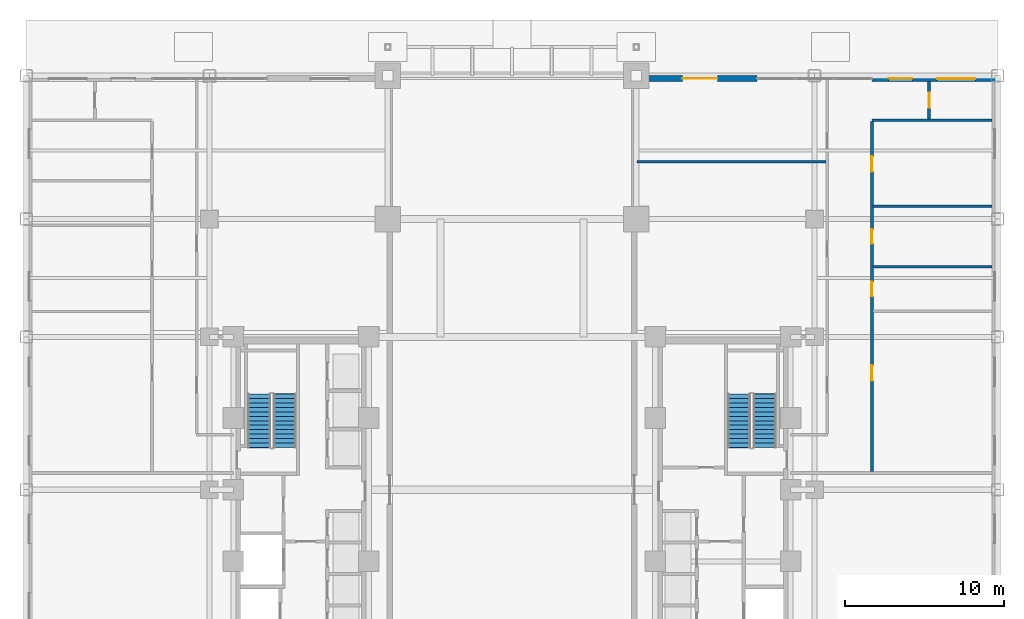
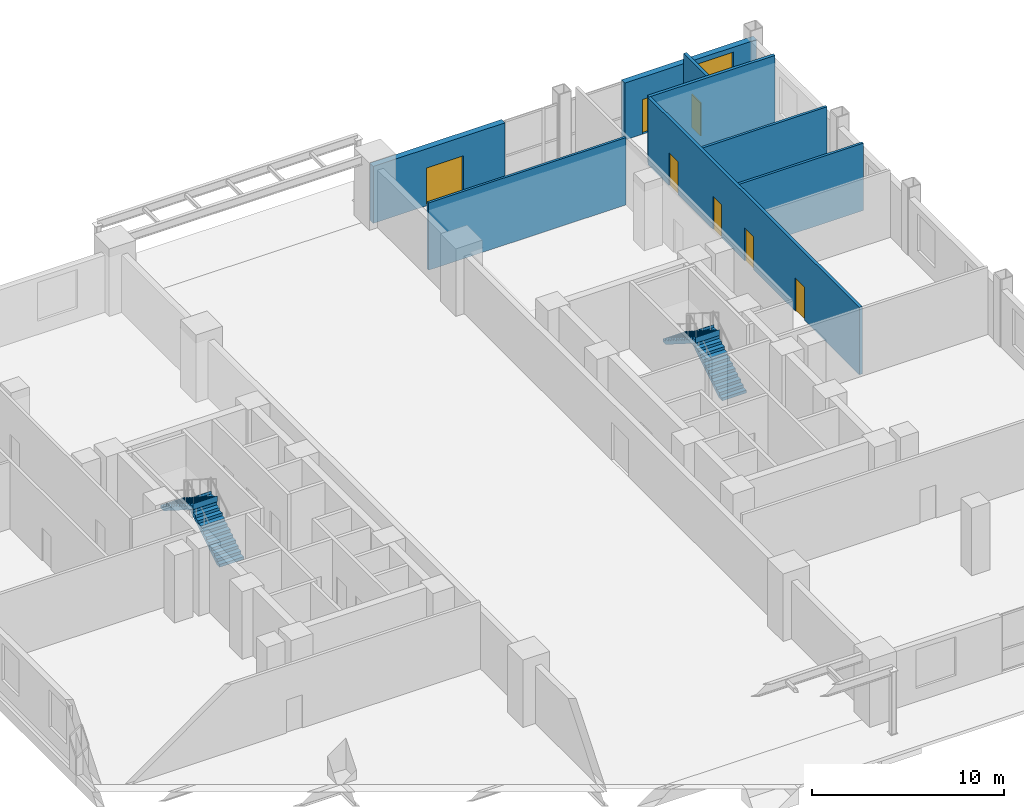
# One storey, part 12 of 20: 8 walls, 7 doors, 4 stair flights, 1 window, 8 openings, 2 elements without a shape of their own.
"""IFC4 building model written with IfcOpenShell, lengths in metres."""

from ifc_helpers import new_model, si_unit, direction, frame, frame_2d, origin, place, context, subcontext, project, spatial, polyline, rectangle, outline, extrude, source, transform, mapped, material, layer, layer_set, type_object, type_shapes, element, fill, aggregate, save


model = new_model("IFC4")

# Units and contexts
model_context = context("Model", 3, precision=1e-05, world=origin(), true_north=direction((0.0, 1.0)))
body_context = subcontext(model_context, "Body", "Model", "MODEL_VIEW")
ifc_project = project(units=[si_unit("LENGTHUNIT", "METRE"), si_unit("AREAUNIT", "SQUARE_METRE"), si_unit("VOLUMEUNIT", "CUBIC_METRE"), si_unit("PLANEANGLEUNIT", "RADIAN"), si_unit("MASSUNIT", "GRAM", prefix="KILO")], contexts=[model_context])

# Site, building, storey
site_placement = place(None, origin())
site = spatial("IfcSite", under=ifc_project, at=site_placement, CompositionType="ELEMENT")
building_placement = place(site_placement, origin())
building = spatial("IfcBuilding", under=site, at=building_placement, Name="Nuvemarco Arch Tower", CompositionType="ELEMENT")
storey_placement = place(building_placement, origin())
storey = spatial("IfcBuildingStorey", under=building, at=storey_placement, Name="L00", CompositionType="ELEMENT", Elevation=0.0)

# Wall, opening, door
ifc_material_1 = material(Name="Precast concrete C45/55", Category="concrete")
ifc_layer_1 = layer(ifc_material_1, 0.360107421875, Name="EW-POD-360")
ifc_layer_set_1 = layer_set([ifc_layer_1], Name="Precast concrete C45/55")
wall_type_1 = type_object("IfcWallType", Name="EW-POD-360", PredefinedType="STANDARD", material=ifc_layer_set_1)
wall_1_placement = place(storey_placement, frame((7.5, 25.820068359375, 0.0), z_axis=(0.0, 0.0, 1.0), x_axis=(1.0, 0.0, 0.0)))
wall_1 = element("IfcWall", 1, at=wall_1_placement, inside=storey, type_object=wall_type_1, Name="L00 exterior precast pier wall north left", PredefinedType="STANDARD", context=body_context, shape_type="SweptSolid", body=[
    extrude(rectangle(XDim=7.89990234375, YDim=0.360107421875, at=frame_2d((3.949951171875, 0.0))), origin(), (0.0, 0.0, 1.0), 3.614990234375),
])
opening_1_placement = place(wall_1_placement, frame((3.199951171875, 0.0, 0.0)))
opening_1 = element("IfcOpeningElement", 2, at=opening_1_placement, cuts=wall_1, Name="Opening ED-4", PredefinedType="OPENING", context=body_context, shape_type="SweptSolid", body=[
    extrude(rectangle(XDim=2.199951171875, YDim=2.39990234375, at=frame_2d((1.10009765625, 1.199951171875))), frame((0.0, 0.18994140625, 0.0), z_axis=(0.0, -1.0, 0.0), x_axis=(1.0, 0.0, 0.0)), (0.0, 0.0, 1.0), 0.380126953125),
])
ifc_material_2 = material(Name="Anodised bronze and laminated glass", Category="glass")
door_type_1 = type_object("IfcDoorType", Name="DR-EXT-GATE", OperationType="DOUBLE_DOOR_SINGLE_SWING", PredefinedType="GATE", material=ifc_material_2)
shared_shape_1 = source(origin(), body_context, "Body", "SweptSolid", [
    extrude(rectangle(XDim=2.199951171875, YDim=2.39990234375, at=frame_2d((1.10009765625, 1.199951171875))), frame((0.0, 0.02490234375, 0.0), z_axis=(0.0, -1.0, 0.0), x_axis=(1.0, 0.0, 0.0)), (0.0, 0.0, 1.0), 0.050048828125),
])
type_shapes(door_type_1, [shared_shape_1])
door_1_placement = place(opening_1_placement, origin())
door_1 = element("IfcDoor", 3, at=door_1_placement, inside=storey, type_object=door_type_1, Name="Goods receiving external double gate", OperationType="DOUBLE_DOOR_SINGLE_SWING", OverallHeight=2.39990234375, OverallWidth=2.199951171875, PredefinedType="GATE", context=body_context, shape_type="MappedRepresentation", body=[
    mapped(shared_shape_1, transform((0.0, 0.0, 0.0), scale=1.0)),
])
fill(opening_1, door_1)

# Wall, openings, window, door
wall_2_placement = place(storey_placement, frame((22.60009765625, 25.820068359375, 0.0), z_axis=(0.0, 0.0, 1.0), x_axis=(1.0, 0.0, 0.0)))
wall_2 = element("IfcWall", 4, at=wall_2_placement, inside=storey, type_object=wall_type_1, Name="L00 exterior precast pier wall north right", PredefinedType="STANDARD", context=body_context, shape_type="SweptSolid", body=[
    extrude(rectangle(XDim=7.89990234375, YDim=0.360107421875, at=frame_2d((3.949951171875, 0.0))), origin(), (0.0, 0.0, 1.0), 3.614990234375),
])
opening_2_placement = place(wall_2_placement, frame((1.050048828125, 0.0, 0.0)))
opening_2 = element("IfcOpeningElement", 5, at=opening_2_placement, cuts=wall_2, Name="Opening ED-2", PredefinedType="OPENING", context=body_context, shape_type="SweptSolid", body=[
    extrude(rectangle(XDim=1.5, YDim=2.199951171875, at=frame_2d((0.75, 1.10009765625))), frame((0.0, 0.18994140625, 0.0), z_axis=(0.0, -1.0, 0.0), x_axis=(1.0, 0.0, 0.0)), (0.0, 0.0, 1.0), 0.380126953125),
])
opening_3_placement = place(wall_2_placement, frame((4.10009765625, 0.0, 0.85009765625)))
opening_3 = element("IfcOpeningElement", 6, at=opening_3_placement, cuts=wall_2, Name="Opening WN-1", PredefinedType="OPENING", context=body_context, shape_type="SweptSolid", body=[
    extrude(rectangle(XDim=2.39990234375, YDim=2.449951171875, at=frame_2d((1.199951171875, 1.22509765625))), frame((0.0, 0.18994140625, 0.0), z_axis=(0.0, -1.0, 0.0), x_axis=(1.0, 0.0, 0.0)), (0.0, 0.0, 1.0), 0.380126953125),
])
ifc_material_3 = material(Name="Insulated solar-control glass", Category="glass")
window_type = type_object("IfcWindowType", Name="WN-POD-2400x2450", PartitioningType="DOUBLE_PANEL_VERTICAL", PredefinedType="WINDOW", material=ifc_material_3)
shared_shape_2 = source(origin(), body_context, "Body", "SweptSolid", [
    extrude(rectangle(XDim=2.39990234375, YDim=2.449951171875, at=frame_2d((1.199951171875, 1.22509765625))), frame((0.0, 0.030029296875, 0.0), z_axis=(0.0, -1.0, 0.0), x_axis=(1.0, 0.0, 0.0)), (0.0, 0.0, 1.0), 0.06005859375),
])
type_shapes(window_type, [shared_shape_2])
window_placement = place(opening_3_placement, origin())
window = element("IfcWindow", 7, at=window_placement, inside=storey, type_object=window_type, Name="L00 punched facade window 1", OverallHeight=2.449951171875, OverallWidth=2.39990234375, PartitioningType="SINGLE_PANEL", PredefinedType="WINDOW", context=body_context, shape_type="MappedRepresentation", body=[
    mapped(shared_shape_2, transform((0.0, 0.0, 0.0), scale=1.0)),
])
fill(opening_3, window)
door_type_2 = type_object("IfcDoorType", Name="DR-EXT-EXIT", OperationType="NOTDEFINED", PredefinedType="DOOR", material=ifc_material_2)
shared_shape_3 = source(origin(), body_context, "Body", "SweptSolid", [
    extrude(rectangle(XDim=1.5, YDim=2.199951171875, at=frame_2d((0.75, 1.10009765625))), frame((0.0, 0.02490234375, 0.0), z_axis=(0.0, -1.0, 0.0), x_axis=(1.0, 0.0, 0.0)), (0.0, 0.0, 1.0), 0.050048828125),
])
type_shapes(door_type_2, [shared_shape_3])
door_2_placement = place(opening_2_placement, origin())
door_2 = element("IfcDoor", 8, at=door_2_placement, inside=storey, type_object=door_type_2, Name="Final exit discharge door ED-E1 to north plaza", OperationType="SINGLE_SWING_RIGHT", OverallHeight=2.199951171875, OverallWidth=1.5, PredefinedType="DOOR", context=body_context, shape_type="MappedRepresentation", body=[
    mapped(shared_shape_3, transform((0.0, 0.0, 0.0), scale=1.0)),
])
fill(opening_2, door_2)

# Wall
ifc_material_4 = material(Name="Fire-rated gypsum drywall partition")
ifc_layer_2 = layer(ifc_material_4, 0.179931640625, Name="WL-CORR-180")
ifc_layer_set_2 = layer_set([ifc_layer_2], Name="Fire-rated gypsum drywall partition")
wall_type_2 = type_object("IfcWallType", Name="WL-CORR-180", PredefinedType="PARTITIONING", material=ifc_layer_set_2)
wall_3_placement = place(storey_placement, frame((22.60009765625, 23.199951171875, 0.0), z_axis=(0.0, 0.0, 1.0), x_axis=(1.0, 0.0, 0.0)))
element("IfcWall", 9, at=wall_3_placement, inside=storey, type_object=wall_type_2, Name="L00 interior wall IW-L00-017", PredefinedType="PARTITIONING", context=body_context, shape_type="SweptSolid", body=[
    extrude(rectangle(XDim=7.539794921875, YDim=0.179931640625, at=frame_2d((3.77001953125, 0.0))), origin(), (0.0, 0.0, 1.0), 4.27001953125),
])

# Wall, openings, doors
wall_4_placement = place(storey_placement, frame((22.60009765625, 1.135986328125, 0.0), z_axis=(0.0, 0.0, 1.0), x_axis=(0.0, 1.0, 0.0)))
wall_4 = element("IfcWall", 10, at=wall_4_placement, inside=storey, type_object=wall_type_2, Name="L00 interior wall IW-L00-022", PredefinedType="PARTITIONING", context=body_context, shape_type="SweptSolid", body=[
    extrude(rectangle(XDim=21.97802734375, YDim=0.179931640625, at=frame_2d((10.989013671875, 0.0))), origin(), (0.0, 0.0, 1.0), 4.27001953125),
])
opening_4_placement = place(wall_4_placement, frame((5.708984375, 0.0, 0.0)))
opening_4 = element("IfcOpeningElement", 11, at=opening_4_placement, cuts=wall_4, Name="Opening FD-5", PredefinedType="OPENING", context=body_context, shape_type="SweptSolid", body=[
    extrude(rectangle(XDim=0.9599609375, YDim=2.10009765625, at=frame_2d((0.47998046875, 1.050048828125))), frame((0.0, 0.099853515625, 0.0), z_axis=(0.0, -1.0, 0.0), x_axis=(1.0, 0.0, 0.0)), (0.0, 0.0, 1.0), 0.199951171875),
])
opening_5_placement = place(wall_4_placement, frame((18.841064453125, 0.0, 0.0)))
opening_5 = element("IfcOpeningElement", 12, at=opening_5_placement, cuts=wall_4, Name="Opening FD-5", PredefinedType="OPENING", context=body_context, shape_type="SweptSolid", body=[
    extrude(rectangle(XDim=0.9599609375, YDim=2.10009765625, at=frame_2d((0.47998046875, 1.050048828125))), frame((0.0, 0.099853515625, 0.0), z_axis=(0.0, -1.0, 0.0), x_axis=(1.0, 0.0, 0.0)), (0.0, 0.0, 1.0), 0.199951171875),
])
opening_6_placement = place(wall_4_placement, frame((14.31396484375, 0.0, 0.0)))
opening_6 = element("IfcOpeningElement", 13, at=opening_6_placement, cuts=wall_4, Name="Opening ID-3", PredefinedType="OPENING", context=body_context, shape_type="SweptSolid", body=[
    extrude(rectangle(XDim=0.89990234375, YDim=2.10009765625, at=frame_2d((0.449951171875, 1.050048828125))), frame((0.0, 0.099853515625, 0.0), z_axis=(0.0, -1.0, 0.0), x_axis=(1.0, 0.0, 0.0)), (0.0, 0.0, 1.0), 0.199951171875),
])
opening_7_placement = place(wall_4_placement, frame((11.013916015625, 0.0, 0.0)))
opening_7 = element("IfcOpeningElement", 14, at=opening_7_placement, cuts=wall_4, Name="Opening ID-3", PredefinedType="OPENING", context=body_context, shape_type="SweptSolid", body=[
    extrude(rectangle(XDim=0.89990234375, YDim=2.10009765625, at=frame_2d((0.449951171875, 1.050048828125))), frame((0.0, 0.099853515625, 0.0), z_axis=(0.0, -1.0, 0.0), x_axis=(1.0, 0.0, 0.0)), (0.0, 0.0, 1.0), 0.199951171875),
])
ifc_material_5 = material(Name="Timber fire door", Category="wood")
door_type_3 = type_object("IfcDoorType", Name="DR-CORR-FD", OperationType="NOTDEFINED", PredefinedType="DOOR", material=ifc_material_5)
shared_shape_4 = source(origin(), body_context, "Body", "SweptSolid", [
    extrude(rectangle(XDim=0.9599609375, YDim=2.10009765625, at=frame_2d((0.47998046875, 1.050048828125))), frame((0.0, 0.02490234375, 0.0), z_axis=(0.0, -1.0, 0.0), x_axis=(1.0, 0.0, 0.0)), (0.0, 0.0, 1.0), 0.050048828125),
])
type_shapes(door_type_3, [shared_shape_4])
door_3_placement = place(opening_4_placement, origin())
door_3 = element("IfcDoor", 15, at=door_3_placement, inside=storey, type_object=door_type_3, Name="L00 door DR-L00-L00_ECONC", OperationType="SINGLE_SWING_RIGHT", OverallHeight=2.10009765625, OverallWidth=0.9599609375, PredefinedType="DOOR", context=body_context, shape_type="MappedRepresentation", body=[
    mapped(shared_shape_4, transform((0.0, 0.0, 0.0), scale=1.0)),
])
fill(opening_4, door_3)
door_4_placement = place(opening_5_placement, origin())
door_4 = element("IfcDoor", 16, at=door_4_placement, inside=storey, type_object=door_type_3, Name="L00 door DR-L00-L00_ESEC", OperationType="SINGLE_SWING_RIGHT", OverallHeight=2.10009765625, OverallWidth=0.9599609375, PredefinedType="DOOR", context=body_context, shape_type="MappedRepresentation", body=[
    mapped(shared_shape_4, transform((0.0, 0.0, 0.0), scale=1.0)),
])
fill(opening_5, door_4)
ifc_material_6 = material(Name="Veneered oak timber fire door", Category="wood")
door_type_4 = type_object("IfcDoorType", Name="DR-WC-ACC", OperationType="NOTDEFINED", PredefinedType="DOOR", material=ifc_material_6)
shared_shape_5 = source(origin(), body_context, "Body", "SweptSolid", [
    extrude(rectangle(XDim=0.89990234375, YDim=2.10009765625, at=frame_2d((0.449951171875, 1.050048828125))), frame((0.0, 0.02490234375, 0.0), z_axis=(0.0, -1.0, 0.0), x_axis=(1.0, 0.0, 0.0)), (0.0, 0.0, 1.0), 0.050048828125),
])
type_shapes(door_type_4, [shared_shape_5])
door_5_placement = place(opening_6_placement, origin())
door_5 = element("IfcDoor", 17, at=door_5_placement, inside=storey, type_object=door_type_4, Name="L00 door DR-L00-L00_EWC_PUB", OperationType="SINGLE_SWING_LEFT", OverallHeight=2.10009765625, OverallWidth=0.89990234375, PredefinedType="DOOR", context=body_context, shape_type="MappedRepresentation", body=[
    mapped(shared_shape_5, transform((0.0, 0.0, 0.0), scale=1.0)),
])
fill(opening_6, door_5)
door_6_placement = place(opening_7_placement, origin())
door_6 = element("IfcDoor", 18, at=door_6_placement, inside=storey, type_object=door_type_4, Name="L00 door DR-L00-L00_EWC_ACC", OperationType="SINGLE_SWING_RIGHT", OverallHeight=2.10009765625, OverallWidth=0.89990234375, PredefinedType="DOOR", context=body_context, shape_type="MappedRepresentation", body=[
    mapped(shared_shape_5, transform((0.0, 0.0, 0.0), scale=1.0)),
])
fill(opening_7, door_6)

# Wall, opening, door
wall_5_placement = place(storey_placement, frame((26.199951171875, 23.285888671875, 0.0), z_axis=(0.0, 0.0, 1.0), x_axis=(0.0, 1.0, 0.0)))
wall_5 = element("IfcWall", 19, at=wall_5_placement, inside=storey, type_object=wall_type_2, Name="L00 interior wall IW-L00-023", PredefinedType="PARTITIONING", context=body_context, shape_type="SweptSolid", body=[
    extrude(rectangle(XDim=2.35400390625, YDim=0.179931640625, at=frame_2d((1.177001953125, 0.0))), origin(), (0.0, 0.0, 1.0), 4.27001953125),
])
opening_8_placement = place(wall_5_placement, frame((0.697021484375, 0.0, 0.0)))
opening_8 = element("IfcOpeningElement", 20, at=opening_8_placement, cuts=wall_5, Name="Opening FD-5", PredefinedType="OPENING", context=body_context, shape_type="SweptSolid", body=[
    extrude(rectangle(XDim=0.9599609375, YDim=2.10009765625, at=frame_2d((0.47998046875, 1.050048828125))), frame((0.0, 0.099853515625, 0.0), z_axis=(0.0, -1.0, 0.0), x_axis=(1.0, 0.0, 0.0)), (0.0, 0.0, 1.0), 0.199951171875),
])
door_7_placement = place(opening_8_placement, origin())
door_7 = element("IfcDoor", 21, at=door_7_placement, inside=storey, type_object=door_type_3, Name="L00 door DR-L00-L00_EREC", OperationType="SINGLE_SWING_RIGHT", OverallHeight=2.10009765625, OverallWidth=0.9599609375, PredefinedType="DOOR", context=body_context, shape_type="MappedRepresentation", body=[
    mapped(shared_shape_4, transform((0.0, 0.0, 0.0), scale=1.0)),
])
fill(opening_8, door_7)

# Walls
ifc_material_7 = material(Name="Gypsum plasterboard partition")
ifc_layer_3 = layer(ifc_material_7, 0.139892578125, Name="WL-ROOM-140")
ifc_layer_set_3 = layer_set([ifc_layer_3], Name="Gypsum plasterboard partition")
wall_type_3 = type_object("IfcWallType", Name="WL-ROOM-140", PredefinedType="PARTITIONING", material=ifc_layer_set_3)
wall_6_placement = place(storey_placement, frame((7.860107421875, 20.60009765625, 0.0), z_axis=(0.0, 0.0, 1.0), x_axis=(1.0, 0.0, 0.0)))
element("IfcWall", 22, at=wall_6_placement, inside=storey, type_object=wall_type_3, Name="L00 interior wall IW-L00-015", PredefinedType="PARTITIONING", context=body_context, shape_type="SweptSolid", body=[
    extrude(rectangle(XDim=11.85400390625, YDim=0.139892578125, at=frame_2d((5.927001953125, 0.0))), origin(), (0.0, 0.0, 1.0), 4.27001953125),
])
ifc_material_8 = material(Name="Moisture-resistant gypsum partition")
ifc_layer_4 = layer(ifc_material_8, 0.14990234375, Name="WL-WET-150")
ifc_layer_set_4 = layer_set([ifc_layer_4], Name="Moisture-resistant gypsum partition")
wall_type_4 = type_object("IfcWallType", Name="WL-WET-150", PredefinedType="PARTITIONING", material=ifc_layer_set_4)
for number, where, z_axis, x_axis, name in (
    (23, (22.68603515625, 14.0, 0.0), (0.0, 0.0, 1.0), (1.0, 0.0, 0.0), "L00 interior wall IW-L00-011"),
    (24, (22.68603515625, 17.800048828125, 0.0), (0.0, 0.0, 1.0), (1.0, 0.0, 0.0), "L00 interior wall IW-L00-013"),
):
    element("IfcWall", number, at=place(storey_placement, frame(where, z_axis=z_axis, x_axis=x_axis)), inside=storey, type_object=wall_type_4, Name=name, PredefinedType="PARTITIONING", context=body_context, shape_type="SweptSolid", body=[
        extrude(rectangle(XDim=7.453857421875, YDim=0.14990234375, at=frame_2d((3.72705078125, 0.0))), origin(), (0.0, 0.0, 1.0), 4.27001953125),
    ])

# Stair, stair flights
stair_type = type_object("IfcStairType", Name="ST-CORE-26R", PredefinedType="HALF_TURN_STAIR", material=ifc_material_1)
stair_1_placement = place(storey_placement, origin())
stair_1 = element("IfcStair", 25, at=stair_1_placement, inside=storey, type_object=stair_type, Name="L00 Protected Exit Stair ST-1", PredefinedType="HALF_TURN_STAIR")
stair_flight_type = type_object("IfcStairFlightType", Name="SF-CORE-26R", PredefinedType="STRAIGHT", material=ifc_material_1)
stair_flight_1_placement = place(storey_placement, frame((-14.264892578125, 2.64990234375, 0.0), z_axis=(0.0, 0.0, 1.0), x_axis=(0.0, 1.0, 0.0)))
stair_flight_1 = element("IfcStairFlight", 26, at=stair_flight_1_placement, type_object=stair_flight_type, Name="ST-26R flight 1", NumberOfRisers=13, NumberOfTreads=12, PredefinedType="STRAIGHT", RiserHeight=0.176923077, TreadLength=0.28, context=body_context, shape_type="SweptSolid", body=[
    extrude(outline(polyline([(0.0, 0.0), (0.0, 0.177001953125), (0.280029296875, 0.177001953125), (0.280029296875, 0.353759765625), (0.56005859375, 0.353759765625), (0.56005859375, 0.53076171875), (0.840087890625, 0.53076171875), (0.840087890625, 0.707763671875), (1.1201171875, 0.707763671875), (1.1201171875, 0.884521484375), (1.39990234375, 0.884521484375), (1.39990234375, 1.0615234375), (1.679931640625, 1.0615234375), (1.679931640625, 1.238525390625), (1.9599609375, 1.238525390625), (1.9599609375, 1.415283203125), (2.239990234375, 1.415283203125), (2.239990234375, 1.59228515625), (2.52001953125, 1.59228515625), (2.52001953125, 1.769287109375), (2.800048828125, 1.769287109375), (2.800048828125, 1.946044921875), (3.080078125, 1.946044921875), (3.080078125, 2.123046875), (3.360107421875, 2.123046875), (3.360107421875, 2.300048828125), (3.3798828125, 2.300048828125), (3.3798828125, 1.933837890625), (0.3193359375, 0.0), (0.0, 0.0)])), frame((0.0, 0.72509765625, 0.0), z_axis=(0.0, -1.0, 0.0), x_axis=(1.0, 0.0, 0.0)), (0.0, 0.0, 1.0), 1.449951171875),
])
stair_flight_2_placement = place(storey_placement, frame((-15.875, 6.010009765625, 2.300048828125), z_axis=(0.0, 0.0, 1.0), x_axis=(0.0, -1.0, 0.0)))
stair_flight_2 = element("IfcStairFlight", 27, at=stair_flight_2_placement, type_object=stair_flight_type, Name="ST-26R flight 2", NumberOfRisers=13, NumberOfTreads=12, PredefinedType="STRAIGHT", RiserHeight=0.176923077, TreadLength=0.28, context=body_context, shape_type="SweptSolid", body=[
    extrude(outline(polyline([(0.0, 0.0), (0.0, 0.177001953125), (0.280029296875, 0.177001953125), (0.280029296875, 0.353759765625), (0.56005859375, 0.353759765625), (0.56005859375, 0.53076171875), (0.840087890625, 0.53076171875), (0.840087890625, 0.707763671875), (1.1201171875, 0.707763671875), (1.1201171875, 0.884521484375), (1.39990234375, 0.884521484375), (1.39990234375, 1.0615234375), (1.679931640625, 1.0615234375), (1.679931640625, 1.238525390625), (1.9599609375, 1.238525390625), (1.9599609375, 1.415283203125), (2.239990234375, 1.415283203125), (2.239990234375, 1.59228515625), (2.52001953125, 1.59228515625), (2.52001953125, 1.769287109375), (2.800048828125, 1.769287109375), (2.800048828125, 1.946044921875), (3.080078125, 1.946044921875), (3.080078125, 2.123046875), (3.360107421875, 2.123046875), (3.360107421875, 2.300048828125), (3.3798828125, 2.300048828125), (3.3798828125, 1.933837890625), (0.3193359375, 0.0), (0.0, 0.0)])), frame((0.0, 0.72509765625, 0.0), z_axis=(0.0, -1.0, 0.0), x_axis=(1.0, 0.0, 0.0)), (0.0, 0.0, 1.0), 1.449951171875),
])
aggregate(stair_1, [stair_flight_1, stair_flight_2])

stair_2_placement = place(storey_placement, origin())
stair_2 = element("IfcStair", 28, at=stair_2_placement, inside=storey, type_object=stair_type, Name="L00 Protected Exit Stair ST-2", PredefinedType="HALF_TURN_STAIR")
stair_flight_3_placement = place(storey_placement, frame((15.875, 2.64990234375, 0.0), z_axis=(0.0, 0.0, 1.0), x_axis=(0.0, 1.0, 0.0)))
stair_flight_3 = element("IfcStairFlight", 29, at=stair_flight_3_placement, type_object=stair_flight_type, Name="ST-26R flight 1", NumberOfRisers=13, NumberOfTreads=12, PredefinedType="STRAIGHT", RiserHeight=0.176923077, TreadLength=0.28, context=body_context, shape_type="SweptSolid", body=[
    extrude(outline(polyline([(0.0, 0.0), (0.0, 0.177001953125), (0.280029296875, 0.177001953125), (0.280029296875, 0.353759765625), (0.56005859375, 0.353759765625), (0.56005859375, 0.53076171875), (0.840087890625, 0.53076171875), (0.840087890625, 0.707763671875), (1.1201171875, 0.707763671875), (1.1201171875, 0.884521484375), (1.39990234375, 0.884521484375), (1.39990234375, 1.0615234375), (1.679931640625, 1.0615234375), (1.679931640625, 1.238525390625), (1.9599609375, 1.238525390625), (1.9599609375, 1.415283203125), (2.239990234375, 1.415283203125), (2.239990234375, 1.59228515625), (2.52001953125, 1.59228515625), (2.52001953125, 1.769287109375), (2.800048828125, 1.769287109375), (2.800048828125, 1.946044921875), (3.080078125, 1.946044921875), (3.080078125, 2.123046875), (3.360107421875, 2.123046875), (3.360107421875, 2.300048828125), (3.3798828125, 2.300048828125), (3.3798828125, 1.933837890625), (0.3193359375, 0.0), (0.0, 0.0)])), frame((0.0, 0.72509765625, 0.0), z_axis=(0.0, -1.0, 0.0), x_axis=(1.0, 0.0, 0.0)), (0.0, 0.0, 1.0), 1.449951171875),
])
stair_flight_4_placement = place(storey_placement, frame((14.264892578125, 6.010009765625, 2.300048828125), z_axis=(0.0, 0.0, 1.0), x_axis=(0.0, -1.0, 0.0)))
stair_flight_4 = element("IfcStairFlight", 30, at=stair_flight_4_placement, type_object=stair_flight_type, Name="ST-26R flight 2", NumberOfRisers=13, NumberOfTreads=12, PredefinedType="STRAIGHT", RiserHeight=0.176923077, TreadLength=0.28, context=body_context, shape_type="SweptSolid", body=[
    extrude(outline(polyline([(0.0, 0.0), (0.0, 0.177001953125), (0.280029296875, 0.177001953125), (0.280029296875, 0.353759765625), (0.56005859375, 0.353759765625), (0.56005859375, 0.53076171875), (0.840087890625, 0.53076171875), (0.840087890625, 0.707763671875), (1.1201171875, 0.707763671875), (1.1201171875, 0.884521484375), (1.39990234375, 0.884521484375), (1.39990234375, 1.0615234375), (1.679931640625, 1.0615234375), (1.679931640625, 1.238525390625), (1.9599609375, 1.238525390625), (1.9599609375, 1.415283203125), (2.239990234375, 1.415283203125), (2.239990234375, 1.59228515625), (2.52001953125, 1.59228515625), (2.52001953125, 1.769287109375), (2.800048828125, 1.769287109375), (2.800048828125, 1.946044921875), (3.080078125, 1.946044921875), (3.080078125, 2.123046875), (3.360107421875, 2.123046875), (3.360107421875, 2.300048828125), (3.3798828125, 2.300048828125), (3.3798828125, 1.933837890625), (0.3193359375, 0.0), (0.0, 0.0)])), frame((0.0, 0.72509765625, 0.0), z_axis=(0.0, -1.0, 0.0), x_axis=(1.0, 0.0, 0.0)), (0.0, 0.0, 1.0), 1.449951171875),
])
aggregate(stair_2, [stair_flight_3, stair_flight_4])

save(model, "model.ifc")
